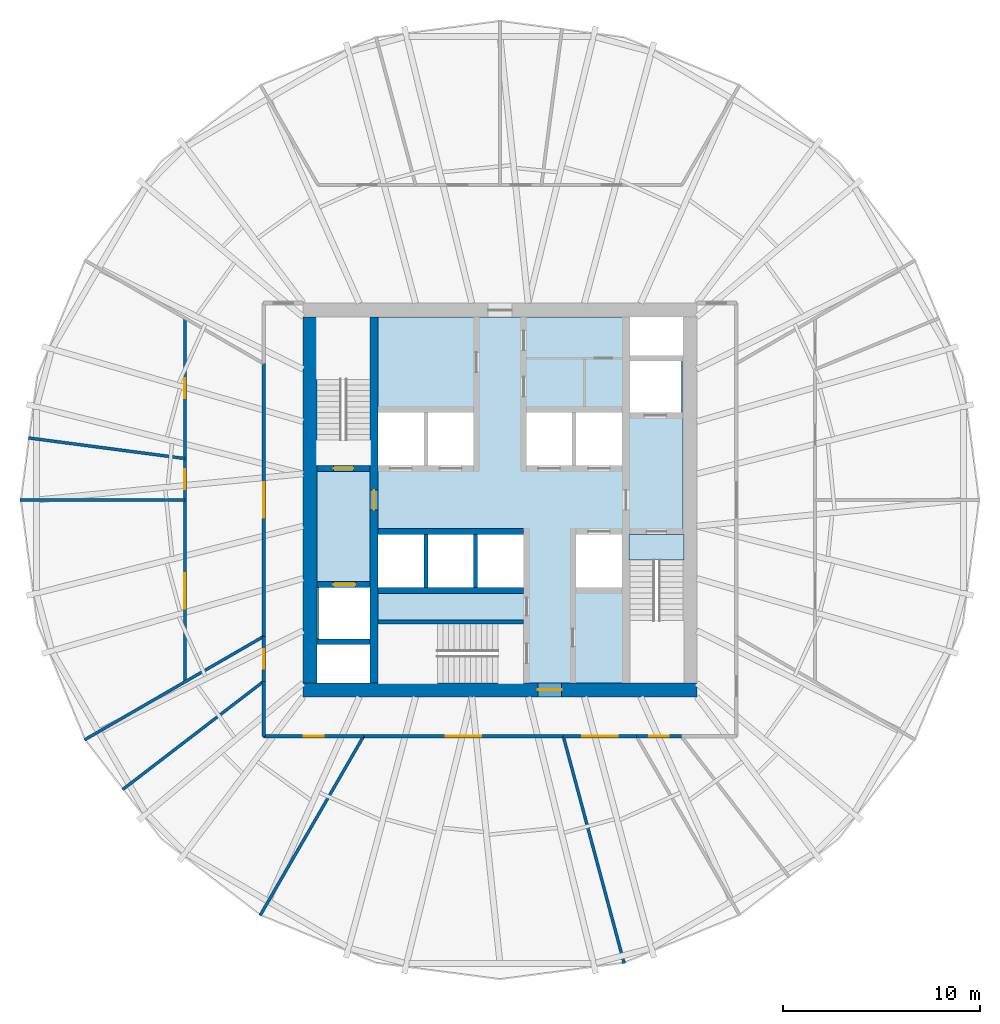
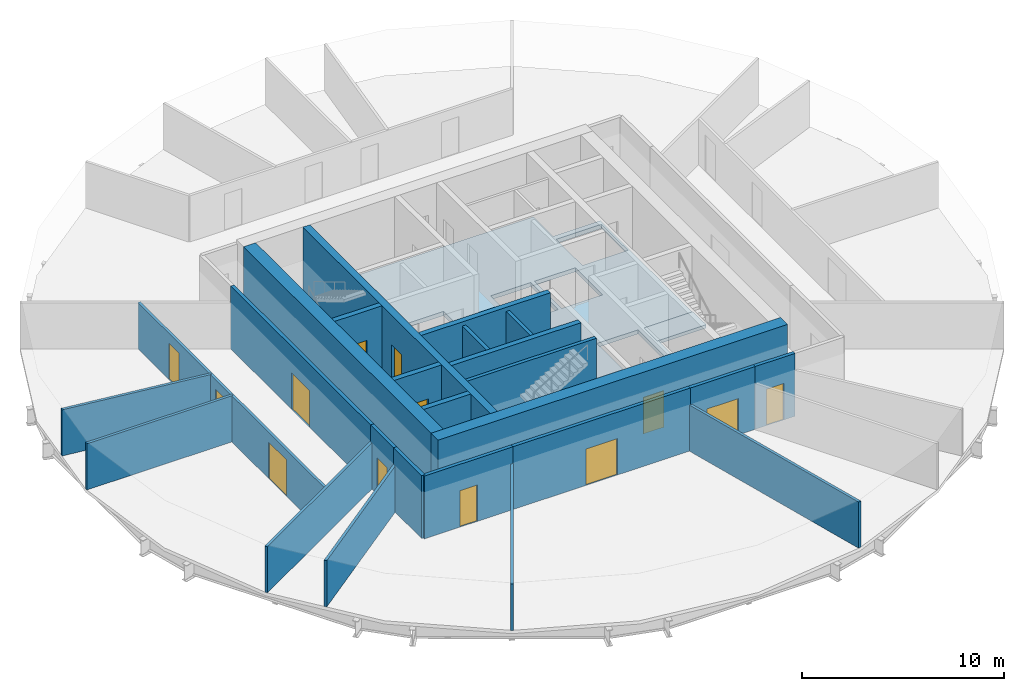
# One storey, part 3 of 6: 25 walls, 13 doors, 2 slabs, 13 openings.
"""IFC4 building model written with IfcOpenShell, lengths in metres."""

from ifc_helpers import new_model, si_unit, direction, frame, frame_2d, origin, place, context, subcontext, project, spatial, polyline, rectangle, outline, extrude, material, layer, layer_set, type_object, element, fill, save


model = new_model("IFC4")

# Units and contexts
model_context = context("Model", 3, precision=1e-05, world=origin(), true_north=direction((0.0, 1.0)))
body_context = subcontext(model_context, "Body", "Model", "MODEL_VIEW")
ifc_project = project(units=[si_unit("LENGTHUNIT", "METRE"), si_unit("AREAUNIT", "SQUARE_METRE"), si_unit("VOLUMEUNIT", "CUBIC_METRE"), si_unit("PLANEANGLEUNIT", "RADIAN"), si_unit("MASSUNIT", "GRAM", prefix="KILO")], contexts=[model_context])

# Site, building, storey
site_placement = place(None, origin())
site = spatial("IfcSite", under=ifc_project, at=site_placement, CompositionType="ELEMENT")
building_placement = place(site_placement, origin())
building = spatial("IfcBuilding", under=site, at=building_placement, Name="Golbaran Civic Tower", CompositionType="ELEMENT")
storey_placement = place(building_placement, frame((0.0, 0.0, 98.0)))
storey = spatial("IfcBuildingStorey", under=building, at=storey_placement, Name="L23", CompositionType="ELEMENT", Elevation=98.0)

# Slabs
ifc_material_1 = material(Name="Concrete C35/45", Category="concrete")
ifc_layer_1 = layer(ifc_material_1, 0.25, Name="Concrete C35/45")
ifc_layer_set_1 = layer_set([ifc_layer_1], Name="Concrete C35/45")
slab_type_1 = type_object("IfcSlabType", Name="CORE FLOOR SLAB 250", PredefinedType="FLOOR", material=ifc_layer_set_1)
slab_1_placement = place(storey_placement, frame((0.0, 0.0, -0.25)))
element("IfcSlab", 1, at=slab_1_placement, inside=storey, type_object=slab_type_1, Name="Core floor slab L23", PredefinedType="FLOOR", context=body_context, shape_type="SweptSolid", body=[
    extrude(outline(polyline([(6.60009765625, -1.75), (6.60009765625, -9.300048828125), (1.199951171875, -9.300048828125), (1.199951171875, -6.300048828125), (-6.199951171875, -6.300048828125), (-6.199951171875, -9.300048828125), (-6.60009765625, -9.300048828125), (-6.60009765625, -7.35009765625), (-9.300048828125, -7.35009765625), (-9.300048828125, 1.75), (-6.60009765625, 1.75), (-6.60009765625, 9.300048828125), (6.60009765625, 9.300048828125), (6.60009765625, 7.35009765625), (9.300048828125, 7.35009765625), (9.300048828125, -1.75), (6.60009765625, -1.75)]), holes=[polyline([(9.199951171875, 7.050048828125), (6.60009765625, 7.050048828125), (6.60009765625, 4.449951171875), (9.199951171875, 4.449951171875), (9.199951171875, 7.050048828125)]), polyline([(6.199951171875, -1.75), (3.85009765625, -1.75), (3.85009765625, -4.449951171875), (6.199951171875, -4.449951171875), (6.199951171875, -1.75)]), polyline([(6.199951171875, 4.449951171875), (3.85009765625, 4.449951171875), (3.85009765625, 1.75), (6.199951171875, 1.75), (6.199951171875, 4.449951171875)]), polyline([(3.64990234375, 4.449951171875), (1.35009765625, 4.449951171875), (1.35009765625, 1.75), (3.64990234375, 1.75), (3.64990234375, 4.449951171875)]), polyline([(1.199951171875, -1.75), (-1.14990234375, -1.75), (-1.14990234375, -4.449951171875), (1.199951171875, -4.449951171875), (1.199951171875, -1.75)]), polyline([(-1.35009765625, 4.449951171875), (-3.64990234375, 4.449951171875), (-3.64990234375, 1.75), (-1.35009765625, 1.75), (-1.35009765625, 4.449951171875)]), polyline([(-1.35009765625, -1.75), (-3.64990234375, -1.75), (-3.64990234375, -4.449951171875), (-1.35009765625, -4.449951171875), (-1.35009765625, -1.75)]), polyline([(-3.85009765625, -1.75), (-6.199951171875, -1.75), (-6.199951171875, -4.449951171875), (-3.85009765625, -4.449951171875), (-3.85009765625, -1.75)]), polyline([(-3.85009765625, 4.449951171875), (-6.199951171875, 4.449951171875), (-6.199951171875, 1.75), (-3.85009765625, 1.75), (-3.85009765625, 4.449951171875)]), polyline([(-6.60009765625, -4.449951171875), (-9.199951171875, -4.449951171875), (-9.199951171875, -7.050048828125), (-6.60009765625, -7.050048828125), (-6.60009765625, -4.449951171875)])]), origin(), (0.0, 0.0, 1.0), 0.25),
])
ifc_layer_2 = layer(ifc_material_1, 0.199951171875, Name="Concrete C35/45")
ifc_layer_set_2 = layer_set([ifc_layer_2], Name="Concrete C35/45")
slab_type_2 = type_object("IfcSlabType", Name="STAIR LANDING 200", PredefinedType="LANDING", material=ifc_layer_set_2)
slab_2_placement = place(storey_placement, frame((0.0, 0.0, -0.199951171875)))
element("IfcSlab", 2, at=slab_2_placement, inside=storey, type_object=slab_type_2, Name="Stair S2 floor landing L23", PredefinedType="LANDING", context=body_context, shape_type="SweptSolid", body=[
    extrude(outline(polyline([(9.35009765625, -1.75), (9.35009765625, -3.054931640625), (6.550048828125, -3.054931640625), (6.550048828125, -1.75), (9.35009765625, -1.75)])), origin(), (0.0, 0.0, 1.0), 0.199951171875),
])

# Wall, opening, door
ifc_material_2 = material(Name="Concrete C50/60", Category="concrete")
ifc_layer_3 = layer(ifc_material_2, 0.39990234375, Name="Concrete C50/60")
ifc_layer_set_3 = layer_set([ifc_layer_3], Name="Concrete C50/60")
wall_type_1 = type_object("IfcWallType", Name="CORE WALL CONCRETE 400", PredefinedType="SOLIDWALL", material=ifc_layer_set_3)
wall_1_placement = place(storey_placement, frame((-6.39990234375, -9.300048828125, 0.0), z_axis=(0.0, 0.0, 1.0), x_axis=(0.0, 1.0, 0.0)))
wall_1 = element("IfcWall", 3, at=wall_1_placement, inside=storey, type_object=wall_type_1, Name="Core wall IW L23", PredefinedType="SOLIDWALL", context=body_context, shape_type="SweptSolid", body=[
    extrude(rectangle(XDim=18.60009765625, YDim=0.39990234375, at=frame_2d((9.300048828125, 0.0))), origin(), (0.0, 0.0, 1.0), 4.0),
])
opening_1_placement = place(wall_1_placement, frame((8.800048828125, 0.0, 0.0)))
opening_1 = element("IfcOpeningElement", 4, at=opening_1_placement, cuts=wall_1, Name="Opening L23.FL1", PredefinedType="OPENING", context=body_context, shape_type="SweptSolid", body=[
    extrude(rectangle(XDim=1.0, YDim=2.199951171875, at=frame_2d((0.5, 1.10009765625))), frame((0.0, 0.2099609375, 0.0), z_axis=(0.0, -1.0, 0.0), x_axis=(1.0, 0.0, 0.0)), (0.0, 0.0, 1.0), 0.419921875),
])
ifc_material_3 = material(Name="Timber door set in steel frame", Category="steel")
door_type_1 = type_object("IfcDoorType", Name="STAIR DOOR 1000x2200", OperationType="SINGLE_SWING_LEFT", PredefinedType="DOOR", material=ifc_material_3)
door_1_placement = place(opening_1_placement, origin())
door_1 = element("IfcDoor", 5, at=door_1_placement, inside=storey, type_object=door_type_1, Name="Fire-fighting lobby FL1 door", OperationType="SINGLE_SWING_LEFT", OverallHeight=2.199951171875, OverallWidth=1.0, PredefinedType="DOOR", context=body_context, shape_type="SweptSolid", body=[
    extrude(rectangle(XDim=1.0, YDim=2.199951171875, at=frame_2d((0.5, 1.10009765625))), frame((0.0, 0.02490234375, 0.0), z_axis=(0.0, -1.0, 0.0), x_axis=(1.0, 0.0, 0.0)), (0.0, 0.0, 1.0), 0.050048828125),
])
fill(opening_1, door_1)

ifc_layer_4 = layer(ifc_material_2, 0.699951171875, Name="Concrete C50/60")
ifc_layer_set_4 = layer_set([ifc_layer_4], Name="Concrete C50/60")
wall_type_2 = type_object("IfcWallType", Name="CORE WALL CONCRETE 700", PredefinedType="SOLIDWALL", material=ifc_layer_set_4)
wall_2_placement = place(storey_placement, frame((10.0, -9.64990234375, 0.0), z_axis=(0.0, 0.0, 1.0), x_axis=(-1.0, 0.0, 0.0)))
wall_2 = element("IfcWall", 6, at=wall_2_placement, inside=storey, type_object=wall_type_2, Name="Core wall CS L23", PredefinedType="SOLIDWALL", context=body_context, shape_type="SweptSolid", body=[
    extrude(rectangle(XDim=20.0, YDim=0.699951171875, at=frame_2d((10.0, 0.0))), origin(), (0.0, 0.0, 1.0), 4.0),
])
opening_2_placement = place(wall_2_placement, frame((6.875, 0.0, 0.0)))
opening_2 = element("IfcOpeningElement", 7, at=opening_2_placement, cuts=wall_2, Name="Opening L23.CS", PredefinedType="OPENING", context=body_context, shape_type="SweptSolid", body=[
    extrude(rectangle(XDim=1.199951171875, YDim=2.199951171875, at=frame_2d((0.60009765625, 1.10009765625))), frame((0.0, 0.35986328125, 0.0), z_axis=(0.0, -1.0, 0.0), x_axis=(1.0, 0.0, 0.0)), (0.0, 0.0, 1.0), 0.719970703125),
])
door_type_2 = type_object("IfcDoorType", Name="CORE DOOR 1200x2200", OperationType="DOUBLE_DOOR_SINGLE_SWING", PredefinedType="DOOR", material=ifc_material_3)
door_2_placement = place(opening_2_placement, origin())
door_2 = element("IfcDoor", 8, at=door_2_placement, inside=storey, type_object=door_type_2, Name="Core door south", OperationType="DOUBLE_DOOR_SINGLE_SWING", OverallHeight=2.199951171875, OverallWidth=1.199951171875, PredefinedType="DOOR", context=body_context, shape_type="SweptSolid", body=[
    extrude(rectangle(XDim=1.199951171875, YDim=2.199951171875, at=frame_2d((0.60009765625, 1.10009765625))), frame((0.0, 0.02490234375, 0.0), z_axis=(0.0, -1.0, 0.0), x_axis=(1.0, 0.0, 0.0)), (0.0, 0.0, 1.0), 0.050048828125),
])
fill(opening_2, door_2)

# Wall
wall_3_placement = place(storey_placement, frame((-9.64990234375, 9.300048828125, 0.0), z_axis=(0.0, 0.0, 1.0), x_axis=(0.0, -1.0, 0.0)))
element("IfcWall", 9, at=wall_3_placement, inside=storey, type_object=wall_type_2, Name="Core wall CW L23", PredefinedType="SOLIDWALL", context=body_context, shape_type="SweptSolid", body=[
    extrude(rectangle(XDim=18.60009765625, YDim=0.699951171875, at=frame_2d((9.300048828125, 0.0))), origin(), (0.0, 0.0, 1.0), 4.0),
])

# Wall, opening, door
ifc_material_4 = material(Name="Gypsum board on steel studs, fire-rated", Category="steel")
ifc_layer_5 = layer(ifc_material_4, 0.199951171875, Name="Gypsum board on steel studs, fire-rated")
ifc_layer_set_5 = layer_set([ifc_layer_5], Name="Gypsum board on steel studs, fire-rated")
wall_type_3 = type_object("IfcWallType", Name="CORRIDOR WALL 200", PredefinedType="PARTITIONING", material=ifc_layer_set_5)
wall_4_placement = place(storey_placement, frame((-12.0, 6.92822265625, 0.0), z_axis=(0.0, 0.0, 1.0), x_axis=(0.0, -1.0, 0.0)))
wall_4 = element("IfcWall", 10, at=wall_4_placement, inside=storey, type_object=wall_type_3, Name="Corridor wall L23", PredefinedType="PARTITIONING", context=body_context, shape_type="SweptSolid", body=[
    extrude(rectangle(XDim=13.8564453125, YDim=0.199951171875, at=frame_2d((6.92822265625, 0.0))), origin(), (0.0, 0.0, 1.0), 3.800048828125),
])
opening_3_placement = place(wall_4_placement, frame((6.0283203125, 0.0, 0.0)))
opening_3 = element("IfcOpeningElement", 11, at=opening_3_placement, cuts=wall_4, Name="Opening L23.12", PredefinedType="OPENING", context=body_context, shape_type="SweptSolid", body=[
    extrude(rectangle(XDim=1.800048828125, YDim=2.199951171875, at=frame_2d((0.89990234375, 1.10009765625))), frame((0.0, 0.10986328125, 0.0), z_axis=(0.0, -1.0, 0.0), x_axis=(1.0, 0.0, 0.0)), (0.0, 0.0, 1.0), 0.219970703125),
])
door_type_3 = type_object("IfcDoorType", Name="OFFICE DOUBLE DOOR 1800x2200", OperationType="DOUBLE_DOOR_SINGLE_SWING", PredefinedType="DOOR", material=ifc_material_3)
door_3_placement = place(opening_3_placement, origin())
door_3 = element("IfcDoor", 12, at=door_3_placement, inside=storey, type_object=door_type_3, Name="Secretariat door L23", OperationType="DOUBLE_DOOR_SINGLE_SWING", OverallHeight=2.199951171875, OverallWidth=1.800048828125, PredefinedType="DOOR", context=body_context, shape_type="SweptSolid", body=[
    extrude(rectangle(XDim=1.800048828125, YDim=2.199951171875, at=frame_2d((0.89990234375, 1.10009765625))), frame((0.0, 0.02490234375, 0.0), z_axis=(0.0, -1.0, 0.0), x_axis=(1.0, 0.0, 0.0)), (0.0, 0.0, 1.0), 0.050048828125),
])
fill(opening_3, door_3)

wall_5_placement = place(storey_placement, frame((-12.0, -6.92822265625, 0.0), z_axis=(0.0, 0.0, 1.0), x_axis=(0.0, -1.0, 0.0)))
wall_5 = element("IfcWall", 13, at=wall_5_placement, inside=storey, type_object=wall_type_3, Name="Corridor wall L23", PredefinedType="PARTITIONING", context=body_context, shape_type="SweptSolid", body=[
    extrude(rectangle(XDim=2.27978515625, YDim=0.199951171875, at=frame_2d((1.139892578125, 0.0))), origin(), (0.0, 0.0, 1.0), 3.800048828125),
])
opening_4_placement = place(wall_5_placement, frame((0.639892578125, 0.0, 0.0)))
opening_4 = element("IfcOpeningElement", 14, at=opening_4_placement, cuts=wall_5, Name="Opening L23.13", PredefinedType="OPENING", context=body_context, shape_type="SweptSolid", body=[
    extrude(rectangle(XDim=1.0, YDim=2.199951171875, at=frame_2d((0.5, 1.10009765625))), frame((0.0, 0.10986328125, 0.0), z_axis=(0.0, -1.0, 0.0), x_axis=(1.0, 0.0, 0.0)), (0.0, 0.0, 1.0), 0.219970703125),
])
door_type_4 = type_object("IfcDoorType", Name="OFFICE DOOR 1000x2200", OperationType="SINGLE_SWING_LEFT", PredefinedType="DOOR", material=ifc_material_3)
door_4_placement = place(opening_4_placement, origin())
door_4 = element("IfcDoor", 15, at=door_4_placement, inside=storey, type_object=door_type_4, Name="Office door L23", OperationType="SINGLE_SWING_RIGHT", OverallHeight=2.199951171875, OverallWidth=1.0, PredefinedType="DOOR", context=body_context, shape_type="SweptSolid", body=[
    extrude(rectangle(XDim=1.0, YDim=2.199951171875, at=frame_2d((0.5, 1.10009765625))), frame((0.0, 0.02490234375, 0.0), z_axis=(0.0, -1.0, 0.0), x_axis=(1.0, 0.0, 0.0)), (0.0, 0.0, 1.0), 0.050048828125),
])
fill(opening_4, door_4)

# Wall
wall_6_placement = place(storey_placement, frame((-12.0, -9.2080078125, 0.0), z_axis=(0.0, 0.0, 1.0), x_axis=(0.0, -1.0, 0.0)))
element("IfcWall", 16, at=wall_6_placement, inside=storey, type_object=wall_type_3, Name="Corridor wall L23", PredefinedType="PARTITIONING", context=body_context, shape_type="SweptSolid", body=[
    extrude(rectangle(XDim=2.7919921875, YDim=0.199951171875, at=frame_2d((1.39599609375, 0.0))), origin(), (0.0, 0.0, 1.0), 3.800048828125),
])

# Wall, opening, door
wall_7_placement = place(storey_placement, frame((-12.0, -12.0, 0.0), z_axis=(0.0, 0.0, 1.0), x_axis=(1.0, 0.0, 0.0)))
wall_7 = element("IfcWall", 17, at=wall_7_placement, inside=storey, type_object=wall_type_3, Name="Corridor wall L23", PredefinedType="PARTITIONING", context=body_context, shape_type="SweptSolid", body=[
    extrude(rectangle(XDim=5.07177734375, YDim=0.199951171875, at=frame_2d((2.535888671875, 0.0))), origin(), (0.0, 0.0, 1.0), 3.800048828125),
])
opening_5_placement = place(wall_7_placement, frame((2.035888671875, 0.0, 0.0)))
opening_5 = element("IfcOpeningElement", 18, at=opening_5_placement, cuts=wall_7, Name="Opening L23.14", PredefinedType="OPENING", context=body_context, shape_type="SweptSolid", body=[
    extrude(rectangle(XDim=1.0, YDim=2.199951171875, at=frame_2d((0.5, 1.10009765625))), frame((0.0, 0.10986328125, 0.0), z_axis=(0.0, -1.0, 0.0), x_axis=(1.0, 0.0, 0.0)), (0.0, 0.0, 1.0), 0.219970703125),
])
door_5_placement = place(opening_5_placement, origin())
door_5 = element("IfcDoor", 19, at=door_5_placement, inside=storey, type_object=door_type_4, Name="Meeting Room door L23", OperationType="SINGLE_SWING_LEFT", OverallHeight=2.199951171875, OverallWidth=1.0, PredefinedType="DOOR", context=body_context, shape_type="SweptSolid", body=[
    extrude(rectangle(XDim=1.0, YDim=2.199951171875, at=frame_2d((0.5, 1.10009765625))), frame((0.0, 0.02490234375, 0.0), z_axis=(0.0, -1.0, 0.0), x_axis=(1.0, 0.0, 0.0)), (0.0, 0.0, 1.0), 0.050048828125),
])
fill(opening_5, door_5)

wall_8_placement = place(storey_placement, frame((-6.92822265625, -12.0, 0.0), z_axis=(0.0, 0.0, 1.0), x_axis=(1.0, 0.0, 0.0)))
wall_8 = element("IfcWall", 20, at=wall_8_placement, inside=storey, type_object=wall_type_3, Name="Corridor wall L23", PredefinedType="PARTITIONING", context=body_context, shape_type="SweptSolid", body=[
    extrude(rectangle(XDim=10.1435546875, YDim=0.199951171875, at=frame_2d((5.07177734375, 0.0))), origin(), (0.0, 0.0, 1.0), 3.800048828125),
])
opening_6_placement = place(wall_8_placement, frame((4.171875, 0.0, 0.0)))
opening_6 = element("IfcOpeningElement", 21, at=opening_6_placement, cuts=wall_8, Name="Opening L23.15", PredefinedType="OPENING", context=body_context, shape_type="SweptSolid", body=[
    extrude(rectangle(XDim=1.800048828125, YDim=2.199951171875, at=frame_2d((0.89990234375, 1.10009765625))), frame((0.0, 0.10986328125, 0.0), z_axis=(0.0, -1.0, 0.0), x_axis=(1.0, 0.0, 0.0)), (0.0, 0.0, 1.0), 0.219970703125),
])
door_6_placement = place(opening_6_placement, origin())
door_6 = element("IfcDoor", 22, at=door_6_placement, inside=storey, type_object=door_type_3, Name="Meeting Room door L23", OperationType="DOUBLE_DOOR_SINGLE_SWING", OverallHeight=2.199951171875, OverallWidth=1.800048828125, PredefinedType="DOOR", context=body_context, shape_type="SweptSolid", body=[
    extrude(rectangle(XDim=1.800048828125, YDim=2.199951171875, at=frame_2d((0.89990234375, 1.10009765625))), frame((0.0, 0.02490234375, 0.0), z_axis=(0.0, -1.0, 0.0), x_axis=(1.0, 0.0, 0.0)), (0.0, 0.0, 1.0), 0.050048828125),
])
fill(opening_6, door_6)

wall_9_placement = place(storey_placement, frame((3.21533203125, -12.0, 0.0), z_axis=(0.0, 0.0, 1.0), x_axis=(1.0, 0.0, 0.0)))
wall_9 = element("IfcWall", 23, at=wall_9_placement, inside=storey, type_object=wall_type_3, Name="Corridor wall L23", PredefinedType="PARTITIONING", context=body_context, shape_type="SweptSolid", body=[
    extrude(rectangle(XDim=3.712890625, YDim=0.199951171875, at=frame_2d((1.8564453125, 0.0))), origin(), (0.0, 0.0, 1.0), 3.800048828125),
])
opening_7_placement = place(wall_9_placement, frame((0.956298828125, 0.0, 0.0)))
opening_7 = element("IfcOpeningElement", 24, at=opening_7_placement, cuts=wall_9, Name="Opening L23.16", PredefinedType="OPENING", context=body_context, shape_type="SweptSolid", body=[
    extrude(rectangle(XDim=1.800048828125, YDim=2.199951171875, at=frame_2d((0.89990234375, 1.10009765625))), frame((0.0, 0.10986328125, 0.0), z_axis=(0.0, -1.0, 0.0), x_axis=(1.0, 0.0, 0.0)), (0.0, 0.0, 1.0), 0.219970703125),
])
door_7_placement = place(opening_7_placement, origin())
door_7 = element("IfcDoor", 25, at=door_7_placement, inside=storey, type_object=door_type_3, Name="Open Office door L23", OperationType="DOUBLE_DOOR_SINGLE_SWING", OverallHeight=2.199951171875, OverallWidth=1.800048828125, PredefinedType="DOOR", context=body_context, shape_type="SweptSolid", body=[
    extrude(rectangle(XDim=1.800048828125, YDim=2.199951171875, at=frame_2d((0.89990234375, 1.10009765625))), frame((0.0, 0.02490234375, 0.0), z_axis=(0.0, -1.0, 0.0), x_axis=(1.0, 0.0, 0.0)), (0.0, 0.0, 1.0), 0.050048828125),
])
fill(opening_7, door_7)

wall_10_placement = place(storey_placement, frame((6.92822265625, -12.0, 0.0), z_axis=(0.0, 0.0, 1.0), x_axis=(1.0, 0.0, 0.0)))
wall_10 = element("IfcWall", 26, at=wall_10_placement, inside=storey, type_object=wall_type_3, Name="Corridor wall L23", PredefinedType="PARTITIONING", context=body_context, shape_type="SweptSolid", body=[
    extrude(rectangle(XDim=2.27978515625, YDim=0.199951171875, at=frame_2d((1.139892578125, 0.0))), origin(), (0.0, 0.0, 1.0), 3.800048828125),
])
opening_8_placement = place(wall_10_placement, frame((0.639892578125, 0.0, 0.0)))
opening_8 = element("IfcOpeningElement", 27, at=opening_8_placement, cuts=wall_10, Name="Opening L23.17", PredefinedType="OPENING", context=body_context, shape_type="SweptSolid", body=[
    extrude(rectangle(XDim=1.0, YDim=2.199951171875, at=frame_2d((0.5, 1.10009765625))), frame((0.0, 0.10986328125, 0.0), z_axis=(0.0, -1.0, 0.0), x_axis=(1.0, 0.0, 0.0)), (0.0, 0.0, 1.0), 0.219970703125),
])
door_8_placement = place(opening_8_placement, origin())
door_8 = element("IfcDoor", 28, at=door_8_placement, inside=storey, type_object=door_type_4, Name="Quiet Room door L23", OperationType="SINGLE_SWING_LEFT", OverallHeight=2.199951171875, OverallWidth=1.0, PredefinedType="DOOR", context=body_context, shape_type="SweptSolid", body=[
    extrude(rectangle(XDim=1.0, YDim=2.199951171875, at=frame_2d((0.5, 1.10009765625))), frame((0.0, 0.02490234375, 0.0), z_axis=(0.0, -1.0, 0.0), x_axis=(1.0, 0.0, 0.0)), (0.0, 0.0, 1.0), 0.050048828125),
])
fill(opening_8, door_8)

# Walls
ifc_material_5 = material(Name="Concrete block", Category="concrete")
ifc_layer_6 = layer(ifc_material_5, 0.199951171875, Name="Concrete block")
ifc_layer_set_6 = layer_set([ifc_layer_6], Name="Concrete block")
wall_type_4 = type_object("IfcWallType", Name="LIFT SEPARATOR WALL 200", PredefinedType="SOLIDWALL", material=ifc_layer_set_6)
for number, where, z_axis, x_axis, name in (
    (29, (-3.75, -1.75, 0.0), (0.0, 0.0, 1.0), (0.0, -1.0, 0.0), "Core partition SSW L23"),
    (30, (-1.25, -1.75, 0.0), (0.0, 0.0, 1.0), (0.0, -1.0, 0.0), "Core partition SSM L23"),
):
    element("IfcWall", number, at=place(storey_placement, frame(where, z_axis=z_axis, x_axis=x_axis)), inside=storey, type_object=wall_type_4, Name=name, PredefinedType="SOLIDWALL", context=body_context, shape_type="SweptSolid", body=[
        extrude(rectangle(XDim=2.699951171875, YDim=0.199951171875, at=frame_2d((1.35009765625, 0.0))), origin(), (0.0, 0.0, 1.0), 3.75),
    ])
ifc_material_6 = material(Name="Gypsum board on steel studs", Category="steel")
ifc_layer_7 = layer(ifc_material_6, 0.14990234375, Name="Gypsum board on steel studs")
ifc_layer_set_7 = layer_set([ifc_layer_7], Name="Gypsum board on steel studs")
wall_type_5 = type_object("IfcWallType", Name="OFFICE PARTITION 150", PredefinedType="PARTITIONING", material=ifc_layer_set_7)
wall_11_placement = place(storey_placement, frame((-12.0, -6.92822265625, 0.0), z_axis=(0.0, 0.0, 1.0), x_axis=(-0.866028201971, -0.499995153367, 0.0)))
element("IfcWall", 31, at=wall_11_placement, inside=storey, type_object=wall_type_5, Name="Partition 210 L23", PredefinedType="PARTITIONING", context=body_context, shape_type="SweptSolid", body=[
    extrude(rectangle(XDim=10.513671875, YDim=0.14990234375, at=frame_2d((5.2568359375, 0.0))), origin(), (0.0, 0.0, 1.0), 2.7900390625),
])
wall_12_placement = place(storey_placement, frame((-12.0, -9.2080078125, 0.0), z_axis=(0.0, 0.0, 1.0), x_axis=(-0.793353631913, -0.60876104896, 0.0)))
element("IfcWall", 32, at=wall_12_placement, inside=storey, type_object=wall_type_5, Name="Partition 217.5 L23", PredefinedType="PARTITIONING", context=body_context, shape_type="SweptSolid", body=[
    extrude(rectangle(XDim=9.035888671875, YDim=0.14990234375, at=frame_2d((4.51806640625, 0.0))), origin(), (0.0, 0.0, 1.0), 2.7900390625),
])
wall_13_placement = place(storey_placement, frame((-6.92822265625, -12.0, 0.0), z_axis=(0.0, 0.0, 1.0), x_axis=(-0.499995153367, -0.866028201971, 0.0)))
element("IfcWall", 33, at=wall_13_placement, inside=storey, type_object=wall_type_5, Name="Partition 240 L23", PredefinedType="PARTITIONING", context=body_context, shape_type="SweptSolid", body=[
    extrude(rectangle(XDim=10.513671875, YDim=0.14990234375, at=frame_2d((5.2568359375, 0.0))), origin(), (0.0, 0.0, 1.0), 2.7900390625),
])
wall_14_placement = place(storey_placement, frame((3.21533203125, -12.0, 0.0), z_axis=(0.0, 0.0, 1.0), x_axis=(0.258816099716, -0.965926615498, 0.0)))
element("IfcWall", 34, at=wall_14_placement, inside=storey, type_object=wall_type_5, Name="Partition 285 L23", PredefinedType="PARTITIONING", context=body_context, shape_type="SweptSolid", body=[
    extrude(rectangle(XDim=11.94677734375, YDim=0.14990234375, at=frame_2d((5.973388671875, 0.0))), origin(), (0.0, 0.0, 1.0), 2.7900390625),
])

# Wall, openings, doors
wall_15_placement = place(storey_placement, frame((-16.0, 9.237548828125, 0.0), z_axis=(0.0, 0.0, 1.0), x_axis=(0.0, -1.0, 0.0)))
wall_15 = element("IfcWall", 35, at=wall_15_placement, inside=storey, type_object=wall_type_5, Name="Suite partition L23", PredefinedType="PARTITIONING", context=body_context, shape_type="SweptSolid", body=[
    extrude(rectangle(XDim=18.47509765625, YDim=0.14990234375, at=frame_2d((9.237548828125, 0.0))), origin(), (0.0, 0.0, 1.0), 2.7900390625),
])
opening_9_placement = place(wall_15_placement, frame((3.065673828125, 0.0, 0.0)))
opening_9 = element("IfcOpeningElement", 36, at=opening_9_placement, cuts=wall_15, Name="Opening L23.08", PredefinedType="OPENING", context=body_context, shape_type="SweptSolid", body=[
    extrude(rectangle(XDim=1.0, YDim=2.199951171875, at=frame_2d((0.5, 1.10009765625))), frame((0.0, 0.0849609375, 0.0), z_axis=(0.0, -1.0, 0.0), x_axis=(1.0, 0.0, 0.0)), (0.0, 0.0, 1.0), 0.169921875),
])
opening_10_placement = place(wall_15_placement, frame((7.684326171875, 0.0, 0.0)))
opening_10 = element("IfcOpeningElement", 37, at=opening_10_placement, cuts=wall_15, Name="Opening L23.09", PredefinedType="OPENING", context=body_context, shape_type="SweptSolid", body=[
    extrude(rectangle(XDim=1.0, YDim=2.199951171875, at=frame_2d((0.5, 1.10009765625))), frame((0.0, 0.0849609375, 0.0), z_axis=(0.0, -1.0, 0.0), x_axis=(1.0, 0.0, 0.0)), (0.0, 0.0, 1.0), 0.169921875),
])
opening_11_placement = place(wall_15_placement, frame((12.956298828125, 0.0, 0.0)))
opening_11 = element("IfcOpeningElement", 38, at=opening_11_placement, cuts=wall_15, Name="Opening L23.10", PredefinedType="OPENING", context=body_context, shape_type="SweptSolid", body=[
    extrude(rectangle(XDim=1.800048828125, YDim=2.199951171875, at=frame_2d((0.89990234375, 1.10009765625))), frame((0.0, 0.0849609375, 0.0), z_axis=(0.0, -1.0, 0.0), x_axis=(1.0, 0.0, 0.0)), (0.0, 0.0, 1.0), 0.169921875),
])
door_9_placement = place(opening_9_placement, origin())
door_9 = element("IfcDoor", 39, at=door_9_placement, inside=storey, type_object=door_type_4, Name="Director's Office door L23", OperationType="SINGLE_SWING_LEFT", OverallHeight=2.199951171875, OverallWidth=1.0, PredefinedType="DOOR", context=body_context, shape_type="SweptSolid", body=[
    extrude(rectangle(XDim=1.0, YDim=2.199951171875, at=frame_2d((0.5, 1.10009765625))), frame((0.0, 0.02490234375, 0.0), z_axis=(0.0, -1.0, 0.0), x_axis=(1.0, 0.0, 0.0)), (0.0, 0.0, 1.0), 0.050048828125),
])
fill(opening_9, door_9)
door_10_placement = place(opening_10_placement, origin())
door_10 = element("IfcDoor", 40, at=door_10_placement, inside=storey, type_object=door_type_4, Name="Office door L23", OperationType="SINGLE_SWING_LEFT", OverallHeight=2.199951171875, OverallWidth=1.0, PredefinedType="DOOR", context=body_context, shape_type="SweptSolid", body=[
    extrude(rectangle(XDim=1.0, YDim=2.199951171875, at=frame_2d((0.5, 1.10009765625))), frame((0.0, 0.02490234375, 0.0), z_axis=(0.0, -1.0, 0.0), x_axis=(1.0, 0.0, 0.0)), (0.0, 0.0, 1.0), 0.050048828125),
])
fill(opening_10, door_10)
door_11_placement = place(opening_11_placement, origin())
door_11 = element("IfcDoor", 41, at=door_11_placement, inside=storey, type_object=door_type_3, Name="Office door L23", OperationType="DOUBLE_DOOR_SINGLE_SWING", OverallHeight=2.199951171875, OverallWidth=1.800048828125, PredefinedType="DOOR", context=body_context, shape_type="SweptSolid", body=[
    extrude(rectangle(XDim=1.800048828125, YDim=2.199951171875, at=frame_2d((0.89990234375, 1.10009765625))), frame((0.0, 0.02490234375, 0.0), z_axis=(0.0, -1.0, 0.0), x_axis=(1.0, 0.0, 0.0)), (0.0, 0.0, 1.0), 0.050048828125),
])
fill(opening_11, door_11)

# Walls
wall_16_placement = place(storey_placement, frame((-16.0, 2.1064453125, 0.0), z_axis=(0.0, 0.0, 1.0), x_axis=(-0.991443935943, 0.130533221372, 0.0)))
element("IfcWall", 42, at=wall_16_placement, inside=storey, type_object=wall_type_5, Name="Partition 172.5 L23", PredefinedType="PARTITIONING", context=body_context, shape_type="SweptSolid", body=[
    extrude(rectangle(XDim=8.023681640625, YDim=0.14990234375, at=frame_2d((4.01171875, 0.0))), origin(), (0.0, 0.0, 1.0), 2.7900390625),
])
wall_17_placement = place(storey_placement, frame((-16.0, 0.0, 0.0), z_axis=(0.0, 0.0, 1.0), x_axis=(-1.0, 0.0, 0.0)))
element("IfcWall", 43, at=wall_17_placement, inside=storey, type_object=wall_type_5, Name="Partition 180 L23", PredefinedType="PARTITIONING", context=body_context, shape_type="SweptSolid", body=[
    extrude(rectangle(XDim=8.3701171875, YDim=0.14990234375, at=frame_2d((4.18505859375, 0.0))), origin(), (0.0, 0.0, 1.0), 2.7900390625),
])
ifc_layer_8 = layer(ifc_material_2, 0.199951171875, Name="Concrete C50/60")
ifc_layer_set_8 = layer_set([ifc_layer_8], Name="Concrete C50/60")
wall_type_6 = type_object("IfcWallType", Name="SHAFT WALL CONCRETE 200", PredefinedType="SOLIDWALL", material=ifc_layer_set_8)
wall_18_placement = place(storey_placement, frame((-6.199951171875, -6.199951171875, 0.0), z_axis=(0.0, 0.0, 1.0), x_axis=(1.0, 0.0, 0.0)))
element("IfcWall", 44, at=wall_18_placement, inside=storey, type_object=wall_type_6, Name="Core wall S3N L23", PredefinedType="SOLIDWALL", context=body_context, shape_type="SweptSolid", body=[
    extrude(rectangle(XDim=7.39990234375, YDim=0.199951171875, at=frame_2d((3.699951171875, 0.0))), origin(), (0.0, 0.0, 1.0), 4.0),
])
ifc_layer_9 = layer(ifc_material_2, 0.300048828125, Name="Concrete C50/60")
ifc_layer_set_9 = layer_set([ifc_layer_9], Name="Concrete C50/60")
wall_type_7 = type_object("IfcWallType", Name="SHAFT WALL CONCRETE 300", PredefinedType="SOLIDWALL", material=ifc_layer_set_9)
for number, where, z_axis, x_axis, name in (
    (45, (-6.199951171875, -1.60009765625, 0.0), (0.0, 0.0, 1.0), (1.0, 0.0, 0.0), "Core wall FSW L23"),
    (46, (-6.199951171875, -4.60009765625, 0.0), (0.0, 0.0, 1.0), (1.0, 0.0, 0.0), "Core wall BSW L23"),
):
    element("IfcWall", number, at=place(storey_placement, frame(where, z_axis=z_axis, x_axis=x_axis)), inside=storey, type_object=wall_type_7, Name=name, PredefinedType="SOLIDWALL", context=body_context, shape_type="SweptSolid", body=[
        extrude(rectangle(XDim=7.39990234375, YDim=0.300048828125, at=frame_2d((3.699951171875, 0.0))), origin(), (0.0, 0.0, 1.0), 4.0),
    ])

# Wall, opening, door
wall_19_placement = place(storey_placement, frame((-9.300048828125, 1.60009765625, 0.0), z_axis=(0.0, 0.0, 1.0), x_axis=(1.0, 0.0, 0.0)))
wall_19 = element("IfcWall", 47, at=wall_19_placement, inside=storey, type_object=wall_type_7, Name="Core wall XW1 L23", PredefinedType="SOLIDWALL", context=body_context, shape_type="SweptSolid", body=[
    extrude(rectangle(XDim=2.699951171875, YDim=0.300048828125, at=frame_2d((1.35009765625, 0.0))), origin(), (0.0, 0.0, 1.0), 4.0),
])
opening_12_placement = place(wall_19_placement, frame((0.85009765625, 0.0, 0.0)))
opening_12 = element("IfcOpeningElement", 48, at=opening_12_placement, cuts=wall_19, Name="Opening L23.S1", PredefinedType="OPENING", context=body_context, shape_type="SweptSolid", body=[
    extrude(rectangle(XDim=1.0, YDim=2.199951171875, at=frame_2d((0.5, 1.10009765625))), frame((0.0, 0.159912109375, 0.0), z_axis=(0.0, -1.0, 0.0), x_axis=(1.0, 0.0, 0.0)), (0.0, 0.0, 1.0), 0.320068359375),
])
door_12_placement = place(opening_12_placement, origin())
door_12 = element("IfcDoor", 49, at=door_12_placement, inside=storey, type_object=door_type_1, Name="Stair S1 door", OperationType="SINGLE_SWING_LEFT", OverallHeight=2.199951171875, OverallWidth=1.0, PredefinedType="DOOR", context=body_context, shape_type="SweptSolid", body=[
    extrude(rectangle(XDim=1.0, YDim=2.199951171875, at=frame_2d((0.5, 1.10009765625))), frame((0.0, 0.02490234375, 0.0), z_axis=(0.0, -1.0, 0.0), x_axis=(1.0, 0.0, 0.0)), (0.0, 0.0, 1.0), 0.050048828125),
])
fill(opening_12, door_12)

wall_20_placement = place(storey_placement, frame((-9.300048828125, -4.300048828125, 0.0), z_axis=(0.0, 0.0, 1.0), x_axis=(1.0, 0.0, 0.0)))
wall_20 = element("IfcWall", 50, at=wall_20_placement, inside=storey, type_object=wall_type_7, Name="Core wall XW2 L23", PredefinedType="SOLIDWALL", context=body_context, shape_type="SweptSolid", body=[
    extrude(rectangle(XDim=2.699951171875, YDim=0.300048828125, at=frame_2d((1.35009765625, 0.0))), origin(), (0.0, 0.0, 1.0), 4.0),
])
opening_13_placement = place(wall_20_placement, frame((0.85009765625, 0.0, 0.0)))
opening_13 = element("IfcOpeningElement", 51, at=opening_13_placement, cuts=wall_20, Name="Opening L23.LD-F1", PredefinedType="OPENING", context=body_context, shape_type="SweptSolid", body=[
    extrude(rectangle(XDim=1.10009765625, YDim=2.199951171875, at=frame_2d((0.550048828125, 1.10009765625))), frame((0.0, 0.159912109375, 0.0), z_axis=(0.0, -1.0, 0.0), x_axis=(1.0, 0.0, 0.0)), (0.0, 0.0, 1.0), 0.320068359375),
])
ifc_material_7 = material(Name="Stainless steel", Category="steel")
door_type_5 = type_object("IfcDoorType", Name="LIFT LANDING DOOR 1100x2200", OperationType="SLIDING_TO_LEFT", PredefinedType="DOOR", material=ifc_material_7)
door_13_placement = place(opening_13_placement, origin())
door_13 = element("IfcDoor", 52, at=door_13_placement, inside=storey, type_object=door_type_5, Name="Lift landing door F1", OperationType="SLIDING_TO_LEFT", OverallHeight=2.199951171875, OverallWidth=1.10009765625, PredefinedType="DOOR", context=body_context, shape_type="SweptSolid", body=[
    extrude(rectangle(XDim=1.10009765625, YDim=2.199951171875, at=frame_2d((0.550048828125, 1.10009765625))), frame((0.0, 0.02490234375, 0.0), z_axis=(0.0, -1.0, 0.0), x_axis=(1.0, 0.0, 0.0)), (0.0, 0.0, 1.0), 0.050048828125),
])
fill(opening_13, door_13)

# Wall
wall_21_placement = place(storey_placement, frame((-9.300048828125, -7.199951171875, 0.0), z_axis=(0.0, 0.0, 1.0), x_axis=(1.0, 0.0, 0.0)))
element("IfcWall", 53, at=wall_21_placement, inside=storey, type_object=wall_type_7, Name="Core wall XW3 L23", PredefinedType="SOLIDWALL", context=body_context, shape_type="SweptSolid", body=[
    extrude(rectangle(XDim=2.699951171875, YDim=0.300048828125, at=frame_2d((1.35009765625, 0.0))), origin(), (0.0, 0.0, 1.0), 4.0),
])

save(model, "model.ifc")
